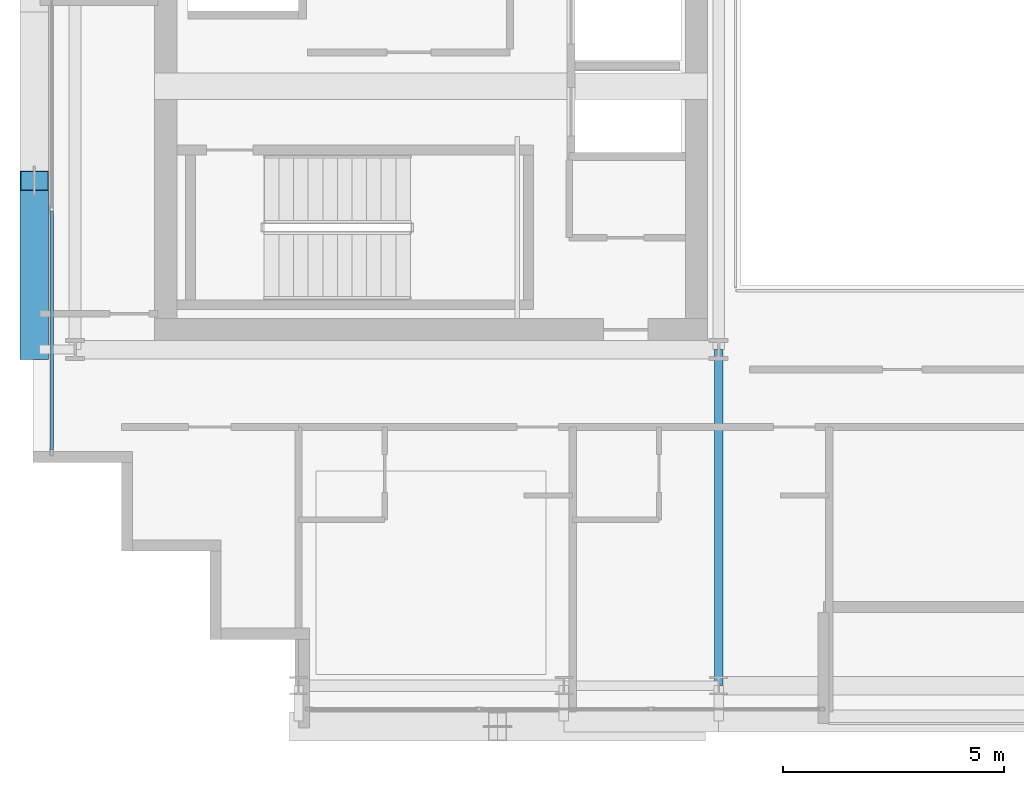
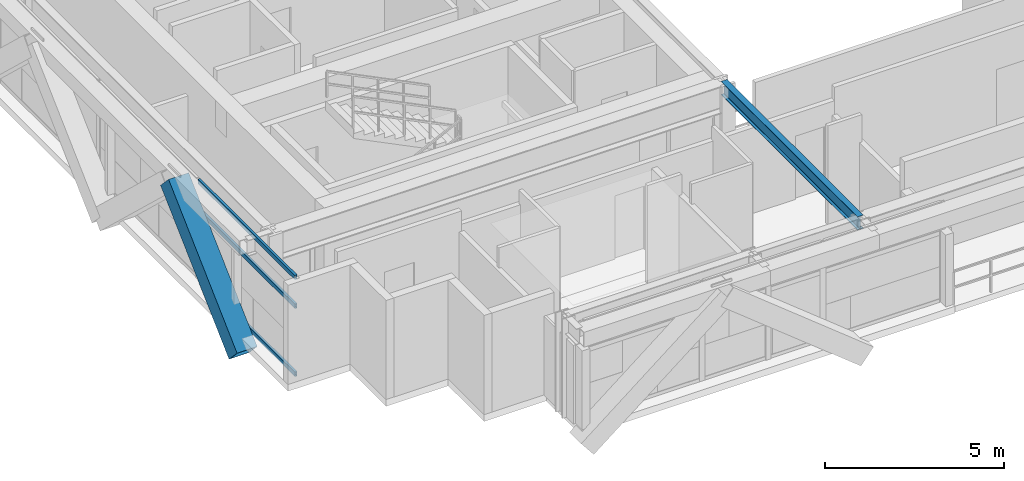
# One storey, part 3 of 31: 4 members, 1 beam, 1 element without a shape of its own.
"""IFC4 building model written with IfcOpenShell, lengths in metres."""

from ifc_helpers import new_model, si_unit, direction, frame, origin, origin_2d, place, context, subcontext, project, spatial, hollow_rectangle, i_section, extrude, source, transform, mapped, material, layer, layer_set, material_profile, profile_set, type_object, element, aggregate, save


model = new_model("IFC4")

# Units and contexts
model_context = context("Model", 3, precision=1e-05, world=origin(), true_north=direction((0.0, 1.0)))
body_context = subcontext(model_context, "Body", "Model", "MODEL_VIEW")
ifc_project = project(units=[si_unit("LENGTHUNIT", "METRE"), si_unit("AREAUNIT", "SQUARE_METRE"), si_unit("VOLUMEUNIT", "CUBIC_METRE"), si_unit("PLANEANGLEUNIT", "RADIAN"), si_unit("MASSUNIT", "GRAM", prefix="KILO")], contexts=[model_context])

# Site, building, storey
site_placement = place(None, origin())
site = spatial("IfcSite", under=ifc_project, at=site_placement, CompositionType="ELEMENT")
building_placement = place(site_placement, origin())
building = spatial("IfcBuilding", under=site, at=building_placement, Name="Ocotamira Hotel", CompositionType="ELEMENT")
storey_placement = place(building_placement, frame((0.0, 0.0, 174.0)))
storey = spatial("IfcBuildingStorey", under=building, at=storey_placement, Name="L43", CompositionType="ELEMENT", Elevation=174.0)

# Beam
ifc_material_1 = material(Name="Steel ASTM A992 Grade 50", Category="steel")
ifc_material_profile_1 = material_profile(ifc_material_1, i_section(OverallWidth=0.18994140625, OverallDepth=0.45703125, WebThickness=0.009033203125, FlangeThickness=0.014404296875, FilletRadius=0.010009765625, at=origin_2d()), Name="W18X50")
ifc_profile_set_1 = profile_set([ifc_material_profile_1], Name="Steel ASTM A992 Grade 50")
beam_type = type_object("IfcBeamType", Name="BM-SEC-W18X50", PredefinedType="JOIST", material=ifc_profile_set_1)
shared_shape_1 = source(origin(), body_context, "Body", "SweptSolid", [
    extrude(i_section(OverallWidth=0.18994140625, OverallDepth=0.45703125, WebThickness=0.009033203125, FlangeThickness=0.014404296875, FilletRadius=0.010009765625, at=origin_2d()), origin(), (0.0, 0.0, 1.0), 7.60009765625),
])
beam_placement = place(storey_placement, frame((23.5, 6.949951171875, 3.1416015625), z_axis=(0.0, 1.0, 0.0), x_axis=(-1.0, 0.0, 0.0)))
element("IfcBeam", 1, at=beam_placement, inside=storey, type_object=beam_type, Name="L43 Beam X23.5 Y6.95-14.55", PredefinedType="JOIST", context=body_context, shape_type="MappedRepresentation", body=[
    mapped(shared_shape_1, transform((0.0, 0.0, 0.0), scale=1.0)),
])

# Member
ifc_material_2 = material(Name="Pale-metal coated steel ASTM A913 Grade 65", Category="steel")
ifc_material_profile_2 = material_profile(ifc_material_2, hollow_rectangle(XDim=0.64990234375, YDim=0.64990234375, WallThickness=0.02197265625, at=origin_2d()), Name="BOX650X650X22")
ifc_profile_set_2 = profile_set([ifc_material_profile_2], Name="Pale-metal coated steel ASTM A913 Grade 65")
member_type_1 = type_object("IfcMemberType", Name="MEM-EXO-BOX650", PredefinedType="BRACE", material=ifc_profile_set_2)
shared_shape_2 = source(origin(), body_context, "Body", "SweptSolid", [
    extrude(hollow_rectangle(XDim=0.64990234375, YDim=0.64990234375, WallThickness=0.02197265625, at=origin_2d()), origin(), (0.0, 0.0, 1.0), 5.24658203125),
])
member_1_placement = place(storey_placement, frame((8.030029296875, 14.550048828125, -0.47998046875), z_axis=(0.0, 0.727442733726, 0.686168397078), x_axis=(-1.0, 0.0, 0.0)))
element("IfcMember", 2, at=member_1_placement, inside=storey, type_object=member_type_1, Name="L43 Exoskeleton Diagrid W0.1", PredefinedType="BRACE", context=body_context, shape_type="MappedRepresentation", body=[
    mapped(shared_shape_2, transform((0.0, 0.0, 0.0), scale=1.0)),
])

# Curtain wall, members
ifc_material_3 = material(Name="Anodised pale-metal aluminium and solar glass", Category="aluminium")
ifc_layer = layer(ifc_material_3, 0.199951171875)
ifc_layer_set = layer_set([ifc_layer], Name="Anodised pale-metal aluminium and solar glass")
curtain_wall_type = type_object("IfcCurtainWallType", Name="CW-SYS4-Z3", PredefinedType="NOTDEFINED", material=ifc_layer_set)
curtain_wall_placement = place(storey_placement, origin())
curtain_wall = element("IfcCurtainWall", 3, at=curtain_wall_placement, inside=storey, type_object=curtain_wall_type, Name="L43 Curtain Wall CW-4 CW-L43-W", PredefinedType="NOTDEFINED")
ifc_material_4 = material(Name="Anodised pale-metal aluminium 6063-T6", Category="aluminium")
ifc_material_profile_3 = material_profile(ifc_material_4, hollow_rectangle(XDim=0.074951171875, YDim=0.14990234375, WallThickness=0.006103515625, at=origin_2d()), Name="HSS150X75X6")
ifc_profile_set_3 = profile_set([ifc_material_profile_3], Name="Anodised pale-metal aluminium 6063-T6")
member_type_2 = type_object("IfcMemberType", Name="CWT-150X75", PredefinedType="USERDEFINED", material=ifc_profile_set_3)
shared_shape_3 = source(origin(), body_context, "Body", "SweptSolid", [
    extrude(hollow_rectangle(XDim=0.074951171875, YDim=0.14990234375, WallThickness=0.006103515625, at=origin_2d()), origin(), (0.0, 0.0, 1.0), 5.39990234375),
])
member_2_placement = place(storey_placement, frame((8.419921875, 12.280029296875, 0.03759765625), z_axis=(0.0, 1.0, 0.0), x_axis=(-1.0, 0.0, 0.0)))
member_2 = element("IfcMember", 4, at=member_2_placement, type_object=member_type_2, Name="CW-4 transom 1.1", ObjectType="TRANSOM", PredefinedType="USERDEFINED", context=body_context, shape_type="MappedRepresentation", body=[
    mapped(shared_shape_3, transform((0.0, 0.0, 0.0), scale=1.0)),
])
member_3_placement = place(storey_placement, frame((8.419921875, 12.280029296875, 2.35009765625), z_axis=(0.0, 1.0, 0.0), x_axis=(-1.0, 0.0, 0.0)))
member_3 = element("IfcMember", 5, at=member_3_placement, type_object=member_type_2, Name="CW-4 transom 1.2", ObjectType="TRANSOM", PredefinedType="USERDEFINED", context=body_context, shape_type="MappedRepresentation", body=[
    mapped(shared_shape_3, transform((0.0, 0.0, 0.0), scale=1.0)),
])
member_4_placement = place(storey_placement, frame((8.419921875, 12.280029296875, 3.33251953125), z_axis=(0.0, 1.0, 0.0), x_axis=(-1.0, 0.0, 0.0)))
member_4 = element("IfcMember", 6, at=member_4_placement, type_object=member_type_2, Name="CW-4 transom 1.3", ObjectType="TRANSOM", PredefinedType="USERDEFINED", context=body_context, shape_type="MappedRepresentation", body=[
    mapped(shared_shape_3, transform((0.0, 0.0, 0.0), scale=1.0)),
])
aggregate(curtain_wall, [member_2, member_3, member_4])

save(model, "model.ifc")
